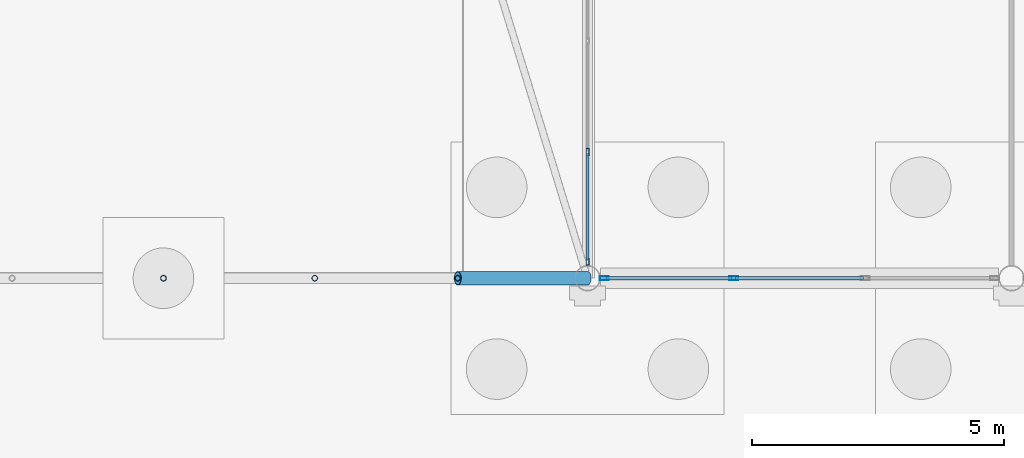
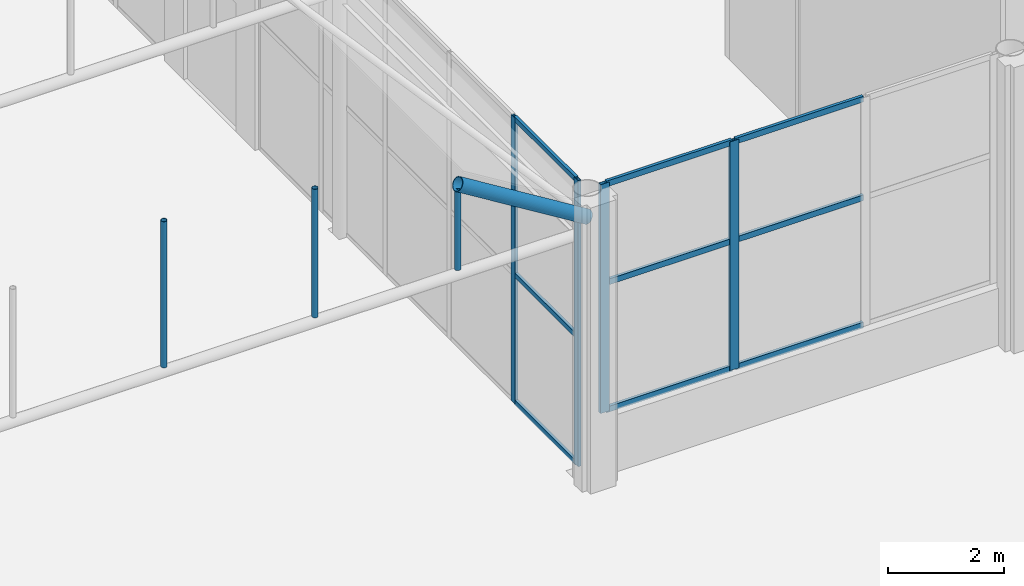
# One storey, part 86 of 212: 17 members, 2 elements without a shape of their own.
"""IFC4 building model written with IfcOpenShell, lengths in metres."""

from ifc_helpers import new_model, si_unit, direction, frame, origin, origin_2d, place, context, subcontext, project, spatial, hollow_rectangle, hollow_circle, extrude, material, material_profile, profile_set, type_object, element, aggregate, save


model = new_model("IFC4")

# Units and contexts
model_context = context("Model", 3, precision=1e-05, world=origin(), true_north=direction((0.0, 1.0)))
body_context = subcontext(model_context, "Body", "Model", "MODEL_VIEW")
ifc_project = project(units=[si_unit("LENGTHUNIT", "METRE"), si_unit("AREAUNIT", "SQUARE_METRE"), si_unit("VOLUMEUNIT", "CUBIC_METRE"), si_unit("PLANEANGLEUNIT", "RADIAN"), si_unit("MASSUNIT", "GRAM", prefix="KILO")], contexts=[model_context])

# Site, building, storey
site_placement = place(None, origin())
site = spatial("IfcSite", under=ifc_project, at=site_placement, CompositionType="ELEMENT")
building_placement = place(site_placement, origin())
building = spatial("IfcBuilding", under=site, at=building_placement, Name="Catenary Quay Ferry Terminal", CompositionType="ELEMENT")
storey_placement = place(building_placement, origin())
storey = spatial("IfcBuildingStorey", under=building, at=storey_placement, Name="L00", CompositionType="ELEMENT", Elevation=0.0)

# Members
ifc_material_1 = material(Name="Steel S355", Category="steel")
ifc_material_profile_1 = material_profile(ifc_material_1, hollow_circle(Radius=0.05712890625, WallThickness=0.00634765625, at=origin_2d()), Name="CHS 114.3x6.3")
ifc_profile_set_1 = profile_set([ifc_material_profile_1], Name="Steel S355")
member_type_1 = type_object("IfcMemberType", Name="HG1 CHS 114.3x6.3", PredefinedType="POST", material=ifc_profile_set_1)
member_1_placement = place(storey_placement, frame((16.800048828125, 67.199951171875, 5.205078125), z_axis=(0.0, 0.0, 1.0), x_axis=(1.0, 0.0, 0.0)))
element("IfcMember", 1, at=member_1_placement, inside=storey, type_object=member_type_1, Name="Hanger FC-01-03", PredefinedType="POST", context=body_context, shape_type="SweptSolid", body=[
    extrude(hollow_circle(Radius=0.05712890625, WallThickness=0.00634765625, at=origin_2d()), origin(), (0.0, 0.0, 1.0), 3.06494140625),
])
member_2_placement = place(storey_placement, frame((19.797119140625, 67.199951171875, 5.205078125), z_axis=(0.0, 0.0, 1.0), x_axis=(1.0, 0.0, 0.0)))
element("IfcMember", 2, at=member_2_placement, inside=storey, type_object=member_type_1, Name="Hanger FC-01-04", PredefinedType="POST", context=body_context, shape_type="SweptSolid", body=[
    extrude(hollow_circle(Radius=0.05712890625, WallThickness=0.00634765625, at=origin_2d()), origin(), (0.0, 0.0, 1.0), 2.69580078125),
])
member_3_placement = place(storey_placement, frame((22.62890625, 67.199951171875, 5.205078125), z_axis=(0.0, 0.0, 1.0), x_axis=(1.0, 0.0, 0.0)))
element("IfcMember", 3, at=member_3_placement, inside=storey, type_object=member_type_1, Name="Hanger FC-01-05", PredefinedType="POST", context=body_context, shape_type="SweptSolid", body=[
    extrude(hollow_circle(Radius=0.05712890625, WallThickness=0.00634765625, at=origin_2d()), origin(), (0.0, 0.0, 1.0), 1.64892578125),
])

# Curtain wall, members
ifc_material_2 = material(Name="Aluminium and glass", Category="aluminium")
curtain_wall_type_1 = type_object("IfcCurtainWallType", Name="CWG", PredefinedType="NOTDEFINED", material=ifc_material_2)
curtain_wall_1_placement = place(storey_placement, origin())
curtain_wall_1 = element("IfcCurtainWall", 4, at=curtain_wall_1_placement, inside=storey, type_object=curtain_wall_type_1, Name="Gable arrivals hall curtain wall CW1", PredefinedType="NOTDEFINED")
ifc_material_3 = material(Name="Aluminium", Category="aluminium")
ifc_material_profile_2 = material_profile(ifc_material_3, hollow_rectangle(XDim=0.06005859375, YDim=0.139892578125, WallThickness=0.006103515625, at=origin_2d()), Name="MU2")
ifc_profile_set_2 = profile_set([ifc_material_profile_2], Name="Aluminium")
member_type_2 = type_object("IfcMemberType", Name="MU2", PredefinedType="MULLION", material=ifc_profile_set_2)
member_4_placement = place(storey_placement, frame((25.199951171875, 67.530029296875, 0.0), z_axis=(0.0, 0.0, 1.0), x_axis=(-1.0, 0.0, 0.0)))
member_4 = element("IfcMember", 5, at=member_4_placement, type_object=member_type_2, Name="CW1 mullion 1", PredefinedType="MULLION", context=body_context, shape_type="SweptSolid", body=[
    extrude(hollow_rectangle(XDim=0.06005859375, YDim=0.139892578125, WallThickness=0.006103515625, at=origin_2d()), origin(), (0.0, 0.0, 1.0), 6.0),
])
member_5_placement = place(storey_placement, frame((25.199951171875, 69.699951171875, 0.0), z_axis=(0.0, 0.0, 1.0), x_axis=(-1.0, 0.0, 0.0)))
member_5 = element("IfcMember", 6, at=member_5_placement, type_object=member_type_2, Name="CW1 mullion 2", PredefinedType="MULLION", context=body_context, shape_type="SweptSolid", body=[
    extrude(hollow_rectangle(XDim=0.06005859375, YDim=0.139892578125, WallThickness=0.006103515625, at=origin_2d()), origin(), (0.0, 0.0, 1.0), 6.0),
])

ifc_material_4 = material(Name="Aluminium and glass", Category="aluminium")
curtain_wall_type_2 = type_object("IfcCurtainWallType", Name="CWH", PredefinedType="NOTDEFINED", material=ifc_material_4)
curtain_wall_2_placement = place(storey_placement, origin())
curtain_wall_2 = element("IfcCurtainWall", 7, at=curtain_wall_2_placement, inside=storey, type_object=curtain_wall_type_2, Name="Hall curtain wall CW22", PredefinedType="NOTDEFINED")
ifc_material_5 = material(Name="Aluminium", Category="aluminium")
ifc_material_profile_3 = material_profile(ifc_material_5, hollow_rectangle(XDim=0.070068359375, YDim=0.179931640625, WallThickness=0.006103515625, at=origin_2d()), Name="MU3")
ifc_profile_set_3 = profile_set([ifc_material_profile_3], Name="Aluminium")
member_type_3 = type_object("IfcMemberType", Name="MU3", PredefinedType="MULLION", material=ifc_profile_set_3)
member_6_placement = place(storey_placement, frame((25.534912109375, 67.199951171875, 1.199951171875), z_axis=(0.0, 0.0, 1.0), x_axis=(0.0, 1.0, 0.0)))
member_6 = element("IfcMember", 8, at=member_6_placement, type_object=member_type_3, Name="CW22 mullion 1", PredefinedType="MULLION", context=body_context, shape_type="SweptSolid", body=[
    extrude(hollow_rectangle(XDim=0.070068359375, YDim=0.179931640625, WallThickness=0.006103515625, at=origin_2d()), origin(), (0.0, 0.0, 1.0), 4.800048828125),
])
member_7_placement = place(storey_placement, frame((28.10009765625, 67.199951171875, 1.199951171875), z_axis=(0.0, 0.0, 1.0), x_axis=(0.0, 1.0, 0.0)))
member_7 = element("IfcMember", 9, at=member_7_placement, type_object=member_type_3, Name="CW22 mullion 2", PredefinedType="MULLION", context=body_context, shape_type="SweptSolid", body=[
    extrude(hollow_rectangle(XDim=0.070068359375, YDim=0.179931640625, WallThickness=0.006103515625, at=origin_2d()), origin(), (0.0, 0.0, 1.0), 4.800048828125),
])

# Member
ifc_material_6 = material(Name="Aluminium", Category="aluminium")
ifc_material_profile_4 = material_profile(ifc_material_6, hollow_rectangle(XDim=0.06005859375, YDim=0.10009765625, WallThickness=0.0048828125, at=origin_2d()), Name="TR2")
ifc_profile_set_4 = profile_set([ifc_material_profile_4], Name="Aluminium")
member_type_4 = type_object("IfcMemberType", Name="TR2", PredefinedType="USERDEFINED", material=ifc_profile_set_4)
member_8_placement = place(storey_placement, frame((25.199951171875, 67.56005859375, 0.030029296875), z_axis=(0.0, 1.0, 0.0), x_axis=(-1.0, 0.0, 0.0)))
member_8 = element("IfcMember", 10, at=member_8_placement, type_object=member_type_4, Name="CW1 transom 1.1", ObjectType="TRANSOM", PredefinedType="USERDEFINED", context=body_context, shape_type="SweptSolid", body=[
    extrude(hollow_rectangle(XDim=0.06005859375, YDim=0.10009765625, WallThickness=0.0048828125, at=origin_2d()), origin(), (0.0, 0.0, 1.0), 2.10986328125),
])

member_9_placement = place(storey_placement, frame((25.199951171875, 67.56005859375, 2.699951171875), z_axis=(0.0, 1.0, 0.0), x_axis=(-1.0, 0.0, 0.0)))
member_9 = element("IfcMember", 11, at=member_9_placement, type_object=member_type_4, Name="CW1 transom 1.2", ObjectType="TRANSOM", PredefinedType="USERDEFINED", context=body_context, shape_type="SweptSolid", body=[
    extrude(hollow_rectangle(XDim=0.06005859375, YDim=0.10009765625, WallThickness=0.0048828125, at=origin_2d()), origin(), (0.0, 0.0, 1.0), 2.10986328125),
])

member_10_placement = place(storey_placement, frame((25.199951171875, 67.56005859375, 5.969970703125), z_axis=(0.0, 1.0, 0.0), x_axis=(-1.0, 0.0, 0.0)))
member_10 = element("IfcMember", 12, at=member_10_placement, type_object=member_type_4, Name="CW1 transom 1.3", ObjectType="TRANSOM", PredefinedType="USERDEFINED", context=body_context, shape_type="SweptSolid", body=[
    extrude(hollow_rectangle(XDim=0.06005859375, YDim=0.10009765625, WallThickness=0.0048828125, at=origin_2d()), origin(), (0.0, 0.0, 1.0), 2.10986328125),
])

aggregate(curtain_wall_1, [member_4, member_5, member_8, member_9, member_10])

ifc_material_7 = material(Name="Aluminium", Category="aluminium")
ifc_material_profile_5 = material_profile(ifc_material_7, hollow_rectangle(XDim=0.06005859375, YDim=0.1201171875, WallThickness=0.0048828125, at=origin_2d()), Name="TR3")
ifc_profile_set_5 = profile_set([ifc_material_profile_5], Name="Aluminium")
member_type_5 = type_object("IfcMemberType", Name="TR3", PredefinedType="USERDEFINED", material=ifc_profile_set_5)
member_11_placement = place(storey_placement, frame((25.570068359375, 67.199951171875, 1.22998046875), z_axis=(1.0, 0.0, 0.0), x_axis=(0.0, 1.0, 0.0)))
member_11 = element("IfcMember", 13, at=member_11_placement, type_object=member_type_5, Name="CW22 transom 1.1", ObjectType="TRANSOM", PredefinedType="USERDEFINED", context=body_context, shape_type="SweptSolid", body=[
    extrude(hollow_rectangle(XDim=0.06005859375, YDim=0.1201171875, WallThickness=0.0048828125, at=origin_2d()), origin(), (0.0, 0.0, 1.0), 2.494873046875),
])

member_12_placement = place(storey_placement, frame((25.570068359375, 67.199951171875, 3.89990234375), z_axis=(1.0, 0.0, 0.0), x_axis=(0.0, 1.0, 0.0)))
member_12 = element("IfcMember", 14, at=member_12_placement, type_object=member_type_5, Name="CW22 transom 1.2", ObjectType="TRANSOM", PredefinedType="USERDEFINED", context=body_context, shape_type="SweptSolid", body=[
    extrude(hollow_rectangle(XDim=0.06005859375, YDim=0.1201171875, WallThickness=0.0048828125, at=origin_2d()), origin(), (0.0, 0.0, 1.0), 2.494873046875),
])

member_13_placement = place(storey_placement, frame((25.570068359375, 67.199951171875, 5.969970703125), z_axis=(1.0, 0.0, 0.0), x_axis=(0.0, 1.0, 0.0)))
member_13 = element("IfcMember", 15, at=member_13_placement, type_object=member_type_5, Name="CW22 transom 1.3", ObjectType="TRANSOM", PredefinedType="USERDEFINED", context=body_context, shape_type="SweptSolid", body=[
    extrude(hollow_rectangle(XDim=0.06005859375, YDim=0.1201171875, WallThickness=0.0048828125, at=origin_2d()), origin(), (0.0, 0.0, 1.0), 2.494873046875),
])

member_14_placement = place(storey_placement, frame((28.135009765625, 67.199951171875, 1.22998046875), z_axis=(1.0, 0.0, 0.0), x_axis=(0.0, 1.0, 0.0)))
member_14 = element("IfcMember", 16, at=member_14_placement, type_object=member_type_5, Name="CW22 transom 2.1", ObjectType="TRANSOM", PredefinedType="USERDEFINED", context=body_context, shape_type="SweptSolid", body=[
    extrude(hollow_rectangle(XDim=0.06005859375, YDim=0.1201171875, WallThickness=0.0048828125, at=origin_2d()), origin(), (0.0, 0.0, 1.0), 2.530029296875),
])

member_15_placement = place(storey_placement, frame((28.135009765625, 67.199951171875, 3.89990234375), z_axis=(1.0, 0.0, 0.0), x_axis=(0.0, 1.0, 0.0)))
member_15 = element("IfcMember", 17, at=member_15_placement, type_object=member_type_5, Name="CW22 transom 2.2", ObjectType="TRANSOM", PredefinedType="USERDEFINED", context=body_context, shape_type="SweptSolid", body=[
    extrude(hollow_rectangle(XDim=0.06005859375, YDim=0.1201171875, WallThickness=0.0048828125, at=origin_2d()), origin(), (0.0, 0.0, 1.0), 2.530029296875),
])

member_16_placement = place(storey_placement, frame((28.135009765625, 67.199951171875, 5.969970703125), z_axis=(1.0, 0.0, 0.0), x_axis=(0.0, 1.0, 0.0)))
member_16 = element("IfcMember", 18, at=member_16_placement, type_object=member_type_5, Name="CW22 transom 2.3", ObjectType="TRANSOM", PredefinedType="USERDEFINED", context=body_context, shape_type="SweptSolid", body=[
    extrude(hollow_rectangle(XDim=0.06005859375, YDim=0.1201171875, WallThickness=0.0048828125, at=origin_2d()), origin(), (0.0, 0.0, 1.0), 2.530029296875),
])

aggregate(curtain_wall_2, [member_6, member_7, member_11, member_12, member_13, member_14, member_15, member_16])

ifc_material_8 = material(Name="Steel S355", Category="steel")
ifc_material_profile_6 = material_profile(ifc_material_8, hollow_circle(Radius=0.136474609375, WallThickness=0.012451171875, at=origin_2d()), Name="CHS 273x12.5")
ifc_profile_set_6 = profile_set([ifc_material_profile_6], Name="Steel S355")
member_type_6 = type_object("IfcMemberType", Name="VR2 CHS 273x12.5", PredefinedType="RAFTER", material=ifc_profile_set_6)
member_17_placement = place(storey_placement, frame((22.62890625, 67.199951171875, 6.98388671875), z_axis=(0.851391726314, 0.0, -0.524530388408), x_axis=(0.0, 1.0, 0.0)))
element("IfcMember", 19, at=member_17_placement, inside=storey, type_object=member_type_6, Name="rib FC-01-06", PredefinedType="RAFTER", context=body_context, shape_type="SweptSolid", body=[
    extrude(hollow_circle(Radius=0.136474609375, WallThickness=0.012451171875, at=origin_2d()), origin(), (0.0, 0.0, 1.0), 3.019775390625),
])

save(model, "model.ifc")
